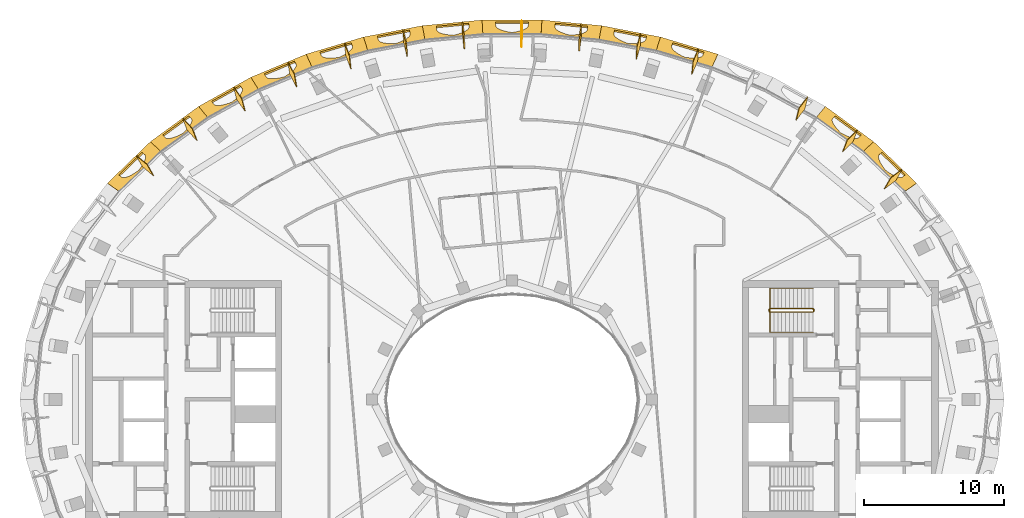
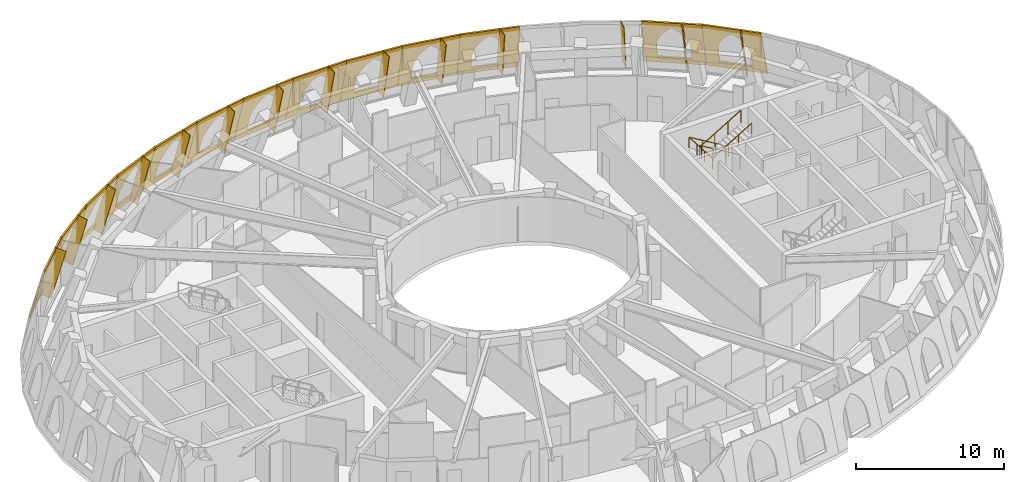
# One storey, part 13 of 14: 27 coverings, 2 railings.
"""IFC4 building model written with IfcOpenShell, lengths in metres."""

from ifc_helpers import new_model, si_unit, direction, frame, origin, origin_2d, place, context, subcontext, project, spatial, polyline, rectangle, outline, extrude, material, layer, layer_set, type_object, element, save


model = new_model("IFC4")

# Units and contexts
model_context = context("Model", 3, precision=1e-05, world=origin(), true_north=direction((0.0, 1.0)))
body_context = subcontext(model_context, "Body", "Model", "MODEL_VIEW")
ifc_project = project(units=[si_unit("LENGTHUNIT", "METRE"), si_unit("AREAUNIT", "SQUARE_METRE"), si_unit("VOLUMEUNIT", "CUBIC_METRE"), si_unit("PLANEANGLEUNIT", "RADIAN"), si_unit("MASSUNIT", "GRAM", prefix="KILO")], contexts=[model_context])

# Site, building, storey
site_placement = place(None, origin())
site = spatial("IfcSite", under=ifc_project, at=site_placement, CompositionType="ELEMENT")
building_placement = place(site_placement, origin())
building = spatial("IfcBuilding", under=site, at=building_placement, Name="Noorbagh Ring Tower", CompositionType="ELEMENT")
storey_placement = place(building_placement, frame((0.0, 0.0, 339.0)))
storey = spatial("IfcBuildingStorey", under=building, at=storey_placement, Name="L74", CompositionType="ELEMENT", Elevation=339.0)

# Railings
ifc_material_1 = material(Name="Stainless steel", Category="steel")
railing_type_1 = type_object("IfcRailingType", Name="CORE-STAIR-GUARD", PredefinedType="GUARDRAIL", material=ifc_material_1)
railing_1_placement = place(storey_placement, frame((21.580078125, 6.449951171875, 0.0)))
element("IfcRailing", 1, at=railing_1_placement, inside=storey, type_object=railing_type_1, Name="L74 ST3 stair guard", PredefinedType="GUARDRAIL", context=body_context, shape_type="SweptSolid", body=[
    extrude(rectangle(XDim=0.048095703125, YDim=0.048095703125, at=origin_2d()), frame((0.0, 0.0, 1.076171875), z_axis=(0.0, -1.0, 0.0), x_axis=(1.0, 0.0, 0.0)), (0.0, 0.0, 1.0), 0.14990234375),
    extrude(rectangle(XDim=0.048095703125, YDim=0.048095703125, at=origin_2d()), frame((0.0, -0.14990234375, 1.076171875), z_axis=(-0.188775798145, 0.754182335027, 0.628945707965), x_axis=(-0.970072785993, -0.242814311512, 0.0)), (0.0, 0.0, 1.0), 0.26513671875),
    extrude(rectangle(XDim=0.048095703125, YDim=0.048095703125, at=origin_2d()), frame((-0.050048828125, 0.050048828125, 1.24267578125), z_axis=(-0.859308565015, 0.0, 0.511457515432), x_axis=(0.0, -1.0, 0.0)), (0.0, 0.0, 1.0), 3.58447265625),
    extrude(rectangle(XDim=0.048095703125, YDim=0.048095703125, at=origin_2d()), frame((-3.130126953125, 0.050048828125, 3.076171875), z_axis=(-0.707106781187, -0.707106781187, 0.0), x_axis=(0.707106781187, -0.707106781187, 0.0)), (0.0, 0.0, 1.0), 0.07080078125),
    extrude(rectangle(XDim=0.048095703125, YDim=0.048095703125, at=origin_2d()), frame((-3.18017578125, 0.0, 3.076171875), z_axis=(0.0, -1.0, 0.0), x_axis=(1.0, 0.0, 0.0)), (0.0, 0.0, 1.0), 0.14990234375),
    extrude(rectangle(XDim=0.048095703125, YDim=0.048095703125, at=origin_2d()), frame((-3.18017578125, -0.14990234375, 3.076171875), z_axis=(0.27628659633, -0.27628659633, 0.920506074601), x_axis=(0.707106781187, 0.707106781187, 0.0)), (0.0, 0.0, 1.0), 0.18115234375),
    extrude(rectangle(XDim=0.048095703125, YDim=0.048095703125, at=origin_2d()), frame((-3.130126953125, -0.199951171875, 3.24267578125), z_axis=(0.859308565015, 0.0, 0.511457515432), x_axis=(0.0, 1.0, 0.0)), (0.0, 0.0, 1.0), 3.58447265625),
    extrude(rectangle(XDim=0.0419921875, YDim=0.0419921875, at=origin_2d()), origin(), (0.0, 0.0, 1.0), 1.052001953125),
    extrude(rectangle(XDim=0.0419921875, YDim=0.0419921875, at=origin_2d()), frame((-1.07666015625, 0.050048828125, 0.77783203125)), (0.0, 0.0, 1.0), 1.052001953125),
    extrude(rectangle(XDim=0.0419921875, YDim=0.0419921875, at=origin_2d()), frame((-2.103515625, 0.050048828125, 1.388916015625)), (0.0, 0.0, 1.0), 1.052001953125),
    extrude(rectangle(XDim=0.0419921875, YDim=0.0419921875, at=origin_2d()), frame((-3.130126953125, 0.050048828125, 2.0)), (0.0, 0.0, 1.0), 1.052001953125),
    extrude(rectangle(XDim=0.0419921875, YDim=0.0419921875, at=origin_2d()), frame((-3.130126953125, -0.199951171875, 2.166748046875)), (0.0, 0.0, 1.0), 1.052001953125),
    extrude(rectangle(XDim=0.0419921875, YDim=0.0419921875, at=origin_2d()), frame((-2.103515625, -0.199951171875, 2.77783203125)), (0.0, 0.0, 1.0), 1.052001953125),
    extrude(rectangle(XDim=0.0419921875, YDim=0.0419921875, at=origin_2d()), frame((-1.07666015625, -0.199951171875, 3.388916015625)), (0.0, 0.0, 1.0), 1.052001953125),
    extrude(rectangle(XDim=0.0419921875, YDim=0.0419921875, at=origin_2d()), frame((-0.050048828125, -0.199951171875, 4.0)), (0.0, 0.0, 1.0), 1.052001953125),
])
ifc_material_2 = material(Name="Stainless steel", Category="steel")
railing_type_2 = type_object("IfcRailingType", Name="CORE-STAIR-HANDRAIL", PredefinedType="HANDRAIL", material=ifc_material_2)
railing_2_placement = place(storey_placement, frame((21.530029296875, 7.949951171875, 0.166748046875)))
element("IfcRailing", 2, at=railing_2_placement, inside=storey, type_object=railing_type_2, Name="L74 ST3 stair handrail", PredefinedType="HANDRAIL", context=body_context, shape_type="SweptSolid", body=[
    extrude(rectangle(XDim=0.048095703125, YDim=0.048095703125, at=origin_2d()), frame((0.0, 0.0, 0.8759765625), z_axis=(-0.859308565015, 0.0, 0.511457515432), x_axis=(0.0, -1.0, 0.0)), (0.0, 0.0, 1.0), 3.58447265625),
    extrude(rectangle(XDim=0.048095703125, YDim=0.048095703125, at=origin_2d()), frame((-3.080078125, 0.0, 2.708984375), z_axis=(0.0, -0.998601747152, 0.052863509014), x_axis=(1.0, 0.0, 0.0)), (0.0, 0.0, 1.0), 3.154296875),
    extrude(rectangle(XDim=0.048095703125, YDim=0.048095703125, at=origin_2d()), frame((-3.080078125, -3.14990234375, 2.8759765625), z_axis=(0.859308565015, 0.0, 0.511457515432), x_axis=(0.0, 1.0, 0.0)), (0.0, 0.0, 1.0), 3.58447265625),
    extrude(rectangle(XDim=0.0419921875, YDim=0.0419921875, at=origin_2d()), origin(), (0.0, 0.0, 1.0), 0.851806640625),
    extrude(rectangle(XDim=0.0419921875, YDim=0.0419921875, at=origin_2d()), frame((-1.026611328125, 0.0, 0.611083984375)), (0.0, 0.0, 1.0), 0.851806640625),
    extrude(rectangle(XDim=0.0419921875, YDim=0.0419921875, at=origin_2d()), frame((-2.053466796875, 0.0, 1.22216796875)), (0.0, 0.0, 1.0), 0.851806640625),
    extrude(rectangle(XDim=0.0419921875, YDim=0.0419921875, at=origin_2d()), frame((-3.080078125, 0.0, 1.833251953125)), (0.0, 0.0, 1.0), 0.851806640625),
    extrude(rectangle(XDim=0.0419921875, YDim=0.0419921875, at=origin_2d()), frame((-3.080078125, -1.050048828125, 1.888916015625)), (0.0, 0.0, 1.0), 0.851806640625),
    extrude(rectangle(XDim=0.0419921875, YDim=0.0419921875, at=origin_2d()), frame((-3.080078125, -2.099853515625, 1.9443359375)), (0.0, 0.0, 1.0), 0.851806640625),
    extrude(rectangle(XDim=0.0419921875, YDim=0.0419921875, at=origin_2d()), frame((-3.080078125, -3.14990234375, 2.0)), (0.0, 0.0, 1.0), 0.851806640625),
    extrude(rectangle(XDim=0.0419921875, YDim=0.0419921875, at=origin_2d()), frame((-2.053466796875, -3.14990234375, 2.611083984375)), (0.0, 0.0, 1.0), 0.851806640625),
    extrude(rectangle(XDim=0.0419921875, YDim=0.0419921875, at=origin_2d()), frame((-1.026611328125, -3.14990234375, 3.22216796875)), (0.0, 0.0, 1.0), 0.851806640625),
    extrude(rectangle(XDim=0.0419921875, YDim=0.0419921875, at=origin_2d()), frame((0.0, -3.14990234375, 3.833251953125)), (0.0, 0.0, 1.0), 0.851806640625),
])

# Coverings
ifc_material_3 = material(Name="Aluminium 6063-T6 black anodised", Category="aluminium")
ifc_layer_1 = layer(ifc_material_3, 0.050048828125)
ifc_layer_set_1 = layer_set([ifc_layer_1], Name="Aluminium 6063-T6 black anodised")
covering_type_1 = type_object("IfcCoveringType", Name="STYLE-HEAD-FIN", PredefinedType="CLADDING", material=ifc_layer_set_1)
covering_1_placement = place(storey_placement, frame((27.918212890625, 16.45751953125, 0.0), z_axis=(0.863196479991, -0.495028875642, 0.099187948922), x_axis=(-0.197630671874, -0.150527907076, 0.968650332538)))
element("IfcCovering", 3, at=covering_1_placement, inside=storey, type_object=covering_type_1, Name="Fin rib F05 L74", ObjectType="FIN", PredefinedType="CLADDING", context=body_context, shape_type="SweptSolid", body=[
    extrude(outline(polyline([(0.0, 0.0), (4.1309693594645545, -2.220446049250313e-16), (4.33698569223919, 0.8761447897794508), (0.2060163327746354, 0.8761447897794511), (0.0, 0.0)])), origin(), (0.0, 0.0, -1.0), 0.050048828125),
])
covering_2_placement = place(storey_placement, frame((24.718505859375, 19.277099609375, 0.0), z_axis=(0.928327419469, -0.357298111447, 0.10269499413), x_axis=(-0.175050123032, -0.176409391374, 0.96862644041)))
element("IfcCovering", 4, at=covering_2_placement, inside=storey, type_object=covering_type_1, Name="Fin rib F06 L74", ObjectType="FIN", PredefinedType="CLADDING", context=body_context, shape_type="SweptSolid", body=[
    extrude(outline(polyline([(0.0, 0.0), (4.131071253904706, 0.0), (4.335811163382686, 0.8763016636186401), (0.20473990947797963, 0.8763016636186401), (0.0, 0.0)])), origin(), (0.0, 0.0, -1.0), 0.050048828125),
])
covering_3_placement = place(storey_placement, frame((21.171630859375, 21.65576171875, 0.0), z_axis=(0.964972352482, -0.242626246645, 0.099804125089), x_axis=(-0.150058448834, -0.198392505462, 0.968567434777)))
element("IfcCovering", 5, at=covering_3_placement, inside=storey, type_object=covering_type_1, Name="Fin rib F07 L74", ObjectType="FIN", PredefinedType="CLADDING", context=body_context, shape_type="SweptSolid", body=[
    extrude(outline(polyline([(0.0, 0.0), (4.131067805415497, 1.1102230246251565e-16), (4.337160518435369, 0.8760610363482143), (0.2061411486901515, 0.8762928764967179), (0.0, 0.0)])), origin(), (0.0, 0.0, -1.0), 0.050048828125),
])
covering_4_placement = place(storey_placement, frame((13.3583984375, 25.10546875, 0.0), z_axis=(0.993171727579, -0.088308978501, 0.076232826614), x_axis=(-0.094824495756, -0.230425751732, 0.968458717728)))
element("IfcCovering", 6, at=covering_4_placement, inside=storey, type_object=covering_type_1, Name="Fin rib F09 L74", ObjectType="FIN", PredefinedType="CLADDING", context=body_context, shape_type="SweptSolid", body=[
    extrude(outline(polyline([(0.0, 0.0), (4.131020875147568, 0.0), (4.345164178485972, 0.8741855241407781), (0.21412015282674524, 0.874168932931378), (0.0, 0.0)])), origin(), (0.0, 0.0, -1.0), 0.050048828125),
])
covering_5_placement = place(storey_placement, frame((9.218505859375, 26.194580078125, 0.0), z_axis=(0.997459477551, -0.04306749679, 0.056743117323), x_axis=(-0.06548068307, -0.240652140043, 0.968400138185)))
element("IfcCovering", 7, at=covering_5_placement, inside=storey, type_object=covering_type_1, Name="Fin rib F10 L74", ObjectType="FIN", PredefinedType="CLADDING", context=body_context, shape_type="SweptSolid", body=[
    extrude(outline(polyline([(0.0, 0.0), (4.131028509619592, 0.0), (4.349957528268341, 0.872973939012567), (0.2188702656848717, 0.8727372067191157), (0.0, 0.0)])), origin(), (0.0, 0.0, -1.0), 0.050048828125),
])
covering_6_placement = place(storey_placement, frame((4.989501953125, 26.87158203125, 0.0), z_axis=(0.999366686379, -0.011658374258, 0.033620060463), x_axis=(-0.035459076307, -0.247149761862, 0.968328275493)))
element("IfcCovering", 8, at=covering_6_placement, inside=storey, type_object=covering_type_1, Name="Fin rib F11 L74", ObjectType="FIN", PredefinedType="CLADDING", context=body_context, shape_type="SweptSolid", body=[
    extrude(outline(polyline([(0.0, 0.0), (4.131082652305149, 0.0), (4.3538655533073545, 0.8719531044132905), (0.2227829010022051, 0.8719531044132904), (0.0, 0.0)])), origin(), (0.0, 0.0, -1.0), 0.050048828125),
])
covering_7_placement = place(storey_placement, frame((0.714599609375, 27.141357421875, 0.0), z_axis=(0.999894074115, 0.011935794699, 0.008329307016), x_axis=(-0.005082379348, -0.249923049544, 0.96825236314)))
element("IfcCovering", 9, at=covering_7_placement, inside=storey, type_object=covering_type_1, Name="Fin rib F12 L74", ObjectType="FIN", PredefinedType="CLADDING", context=body_context, shape_type="SweptSolid", body=[
    extrude(outline(polyline([(0.0, 0.0), (4.131154389364332, -1.1102230246251565e-16), (4.356006131533789, 0.8714248773832362), (0.22485174216945664, 0.8714248773832364), (0.0, 0.0)])), origin(), (0.0, 0.0, -1.0), 0.050048828125),
])
covering_8_placement = place(storey_placement, frame((-3.56689453125, 27.00634765625, 0.0), z_axis=(-0.999247361779, -0.034718692266, 0.017300935954), x_axis=(0.025411841712, -0.248917854166, 0.968191169232)))
element("IfcCovering", 10, at=covering_8_placement, inside=storey, type_object=covering_type_1, Name="Fin rib F13 L74", ObjectType="FIN", PredefinedType="CLADDING", context=body_context, shape_type="SweptSolid", body=[
    extrude(outline(polyline([(0.0, 0.0), (4.131163334767062, 1.1102230246251565e-16), (4.355837673264905, -0.8714606473865072), (0.22467433849784285, -0.8714606473865074), (0.0, 0.0)])), origin(), (0.0, 0.0, -1.0), 0.050048828125),
])
covering_9_placement = place(storey_placement, frame((-7.8154296875, 26.4658203125, 0.0), z_axis=(-0.997136640044, -0.06327800121, 0.041405502579), x_axis=(0.055700045437, -0.244245654749, 0.968112372132)))
element("IfcCovering", 11, at=covering_9_placement, inside=storey, type_object=covering_type_1, Name="Fin rib F14 L74", ObjectType="FIN", PredefinedType="CLADDING", context=body_context, shape_type="SweptSolid", body=[
    extrude(outline(polyline([(0.0, 0.0), (4.131252273971412, -1.1102230246251565e-16), (4.353800583153344, -0.8720432469038677), (0.22262153811264102, -0.8722919758365031), (0.0, 0.0)])), origin(), (0.0, 0.0, -1.0), 0.050048828125),
])
covering_10_placement = place(storey_placement, frame((-11.989990234375, 25.5146484375, 0.0), z_axis=(-0.99255061569, -0.104778256484, 0.062167453394), x_axis=(0.085512819515, -0.235677349154, 0.968061849674)))
element("IfcCovering", 12, at=covering_10_placement, inside=storey, type_object=covering_type_1, Name="Fin rib F15 L74", ObjectType="FIN", PredefinedType="CLADDING", context=body_context, shape_type="SweptSolid", body=[
    extrude(outline(polyline([(0.0, 0.0), (4.131210810003646, 1.1102230246251565e-16), (4.350226098859287, -0.8729371069039367), (0.21901528885564106, -0.8729371069039369), (0.0, 0.0)])), origin(), (0.0, 0.0, -1.0), 0.050048828125),
])
covering_11_placement = place(storey_placement, frame((-16.04443359375, 24.14599609375, 0.0), z_axis=(-0.983267810638, -0.164418819821, 0.078427445787), x_axis=(0.114537644026, -0.223224293852, 0.968014484776)))
element("IfcCovering", 13, at=covering_11_placement, inside=storey, type_object=covering_type_1, Name="Fin rib F16 L74", ObjectType="FIN", PredefinedType="CLADDING", context=body_context, shape_type="SweptSolid", body=[
    extrude(outline(polyline([(0.0, 0.0), (4.1309085347021295, 0.0), (4.346065375525488, -0.87392459233485), (0.21515684082335937, -0.8739245923348502), (0.0, 0.0)])), origin(), (0.0, 0.0, -1.0), 0.050048828125),
])
covering_12_placement = place(storey_placement, frame((-19.92529296875, 22.3505859375, 0.0), z_axis=(-0.964800089493, -0.247481624748, 0.088958601189), x_axis=(0.142308408007, -0.20684361629, 0.96796902606)))
element("IfcCovering", 14, at=covering_12_placement, inside=storey, type_object=covering_type_1, Name="Fin rib F17 L74", ObjectType="FIN", PredefinedType="CLADDING", context=body_context, shape_type="SweptSolid", body=[
    extrude(outline(polyline([(0.0, 0.0), (4.131102534503053, 0.0), (4.343259042194718, -0.8746897307256748), (0.21215650769166475, -0.874689730725675), (0.0, 0.0)])), origin(), (0.0, 0.0, -1.0), 0.050048828125),
])
covering_13_placement = place(storey_placement, frame((-23.568115234375, 20.118896484375, 0.0), z_axis=(-0.92977668691, -0.356110548058, 0.09327695343), x_axis=(0.168452510307, -0.186279097236, 0.967948268093)))
element("IfcCovering", 15, at=covering_13_placement, inside=storey, type_object=covering_type_1, Name="Fin rib F18 L74", ObjectType="FIN", PredefinedType="CLADDING", context=body_context, shape_type="SweptSolid", body=[
    extrude(outline(polyline([(0.0, 0.0), (4.13093215422113, 0.0), (4.34175925209165, -0.8751103170587904), (0.21074049347414803, -0.8748068479395689), (0.0, 0.0)])), origin(), (0.0, 0.0, -1.0), 0.050048828125),
])
covering_14_placement = place(storey_placement, frame((-26.893798828125, 17.4462890625, 0.0), z_axis=(-0.867716131306, -0.488698157388, 0.090790012872), x_axis=(0.192309656175, -0.161637034308, 0.967931022998)))
element("IfcCovering", 16, at=covering_14_placement, inside=storey, type_object=covering_type_1, Name="Fin rib F19 L74", ObjectType="FIN", PredefinedType="CLADDING", context=body_context, shape_type="SweptSolid", body=[
    extrude(outline(polyline([(0.0, 0.0), (4.131012501144332, 0.0), (4.342698614967231, -0.8747467285113854), (0.21168611382289887, -0.8747467285113855), (0.0, 0.0)])), origin(), (0.0, 0.0, -1.0), 0.050048828125),
])
ifc_material_4 = material(Name="Red sandstone jali", Category="masonry")
ifc_layer_2 = layer(ifc_material_4, 0.1201171875)
ifc_layer_set_2 = layer_set([ifc_layer_2], Name="Red sandstone jali")
covering_type_2 = type_object("IfcCoveringType", Name="STYLE-HEAD-SKIN", PredefinedType="CLADDING", material=ifc_layer_set_2)
covering_15_placement = place(storey_placement, frame((28.94287109375, 15.468505859375, 0.0), z_axis=(0.673179525847, 0.697462103212, 0.245715161443), x_axis=(-0.71952222493, 0.694469414585, 6.23365e-06)))
element("IfcCovering", 17, at=covering_15_placement, inside=storey, type_object=covering_type_2, Name="Head skin panel", ObjectType="HEAD SKIN", PredefinedType="CLADDING", context=body_context, shape_type="SweptSolid", body=[
    extrude(outline(polyline([(0.0, 0.0), (4.272216796875, 0.0), (4.332275390625, 4.12646484375), (0.203369140625, 4.12646484375), (0.0, 0.0)]), holes=[polyline([(0.99755859375, 0.550048828125), (1.0302734375, 1.57421875), (1.059814453125, 1.8759765625), (1.128173828125, 2.172607421875), (1.234619140625, 2.458984375), (1.376953125, 2.730224609375), (1.552978515625, 2.981689453125), (1.759765625, 3.209228515625), (1.993408203125, 3.40869140625), (2.250244140625, 3.57666015625), (2.496337890625, 3.40869140625), (2.71728515625, 3.209228515625), (2.90966796875, 2.981689453125), (3.069580078125, 2.730224609375), (3.194580078125, 2.458984375), (3.28271484375, 2.172607421875), (3.332275390625, 1.8759765625), (3.34228515625, 1.57421875), (3.309814453125, 0.550048828125), (0.99755859375, 0.550048828125)])]), origin(), (0.0, 0.0, -1.0), 0.1201171875),
])
covering_16_placement = place(storey_placement, frame((25.868896484375, 18.435302734375, 0.0), z_axis=(0.57241572095, 0.782213366537, 0.245931884107), x_axis=(-0.80699793231, 0.590554262728, -4.614053e-06)))
element("IfcCovering", 18, at=covering_16_placement, inside=storey, type_object=covering_type_2, Name="Head skin panel", ObjectType="HEAD SKIN", PredefinedType="CLADDING", context=body_context, shape_type="SweptSolid", body=[
    extrude(outline(polyline([(0.0, 0.0), (4.276611328125, 0.0), (4.33740234375, 4.126708984375), (0.199462890625, 4.126708984375), (0.0, 0.0)]), holes=[polyline([(0.9970703125, 0.550048828125), (1.029296875, 1.56982421875), (1.05859375, 1.872314453125), (1.127197265625, 2.169677734375), (1.233642578125, 2.456787109375), (1.376220703125, 2.728515625), (1.552490234375, 2.980712890625), (1.759521484375, 3.20849609375), (1.993896484375, 3.408447265625), (2.251220703125, 3.576904296875), (2.497802734375, 3.408447265625), (2.719482421875, 3.20849609375), (2.912109375, 2.980712890625), (3.072509765625, 2.728515625), (3.197998046875, 2.456787109375), (3.28662109375, 2.169677734375), (3.336181640625, 1.872314453125), (3.346435546875, 1.56982421875), (3.314208984375, 0.550048828125), (0.9970703125, 0.550048828125)])]), origin(), (0.0, 0.0, -1.0), 0.1201171875),
])
covering_17_placement = place(storey_placement, frame((14.72705078125, 24.6962890625, 0.0), z_axis=(0.27748782861, 0.928172131078, 0.247985886823), x_axis=(-0.958099323782, 0.286436180931, -4.756416e-06)))
element("IfcCovering", 19, at=covering_17_placement, inside=storey, type_object=covering_type_2, Name="Head skin panel", ObjectType="HEAD SKIN", PredefinedType="CLADDING", context=body_context, shape_type="SweptSolid", body=[
    extrude(outline(polyline([(0.0, 0.0), (4.285400390625, 0.0), (4.302001953125, 4.12890625), (0.145751953125, 4.12890625), (0.0, 0.0)]), holes=[polyline([(0.98974609375, 0.550048828125), (1.009521484375, 1.563232421875), (1.035400390625, 1.8671875), (1.1005859375, 2.165771484375), (1.204345703125, 2.4541015625), (1.34423828125, 2.72705078125), (1.518310546875, 2.980224609375), (1.7236328125, 3.209228515625), (1.95654296875, 3.409912109375), (2.212890625, 3.5791015625), (2.462890625, 3.409912109375), (2.687744140625, 3.209228515625), (2.884033203125, 2.980224609375), (3.048095703125, 2.72705078125), (3.177490234375, 2.4541015625), (3.269775390625, 2.165771484375), (3.3232421875, 1.8671875), (3.337158203125, 1.563232421875), (3.317138671875, 0.550048828125), (0.98974609375, 0.550048828125)])]), origin(), (0.0, 0.0, -1.0), 0.1201171875),
])
covering_18_placement = place(storey_placement, frame((10.621337890625, 25.923828125, 0.0), z_axis=(0.18363615281, 0.950993932385, 0.248773599781), x_axis=(-0.981862061266, 0.189596657792, 4.03422e-07)))
element("IfcCovering", 20, at=covering_18_placement, inside=storey, type_object=covering_type_2, Name="Head skin panel", ObjectType="HEAD SKIN", PredefinedType="CLADDING", context=body_context, shape_type="SweptSolid", body=[
    extrude(outline(polyline([(0.0, 0.0), (4.28662109375, 0.0), (4.27880859375, 4.1298828125), (0.11962890625, 4.1298828125), (0.0, 0.0)]), holes=[polyline([(0.986083984375, 0.550048828125), (1.0, 1.562744140625), (1.02392578125, 1.86669921875), (1.08740234375, 2.16552734375), (1.189208984375, 2.4541015625), (1.32763671875, 2.727294921875), (1.50048828125, 2.980712890625), (1.704345703125, 3.209716796875), (1.936279296875, 3.41064453125), (2.19189453125, 3.579833984375), (2.44287109375, 3.41064453125), (2.669189453125, 3.209716796875), (2.866943359375, 2.980712890625), (3.03271484375, 2.727294921875), (3.163818359375, 2.4541015625), (3.2578125, 2.16552734375), (3.313232421875, 1.86669921875), (3.3291015625, 1.562744140625), (3.3154296875, 0.550048828125), (0.986083984375, 0.550048828125)])]), origin(), (0.0, 0.0, -1.0), 0.1201171875),
])
covering_19_placement = place(storey_placement, frame((6.412353515625, 26.736572265625, 0.0), z_axis=(0.091418656886, 0.96407927325, 0.249386816137), x_axis=(-0.99553419187, 0.094401656848, -1.130861e-06)))
element("IfcCovering", 21, at=covering_19_placement, inside=storey, type_object=covering_type_2, Name="Head skin panel", ObjectType="HEAD SKIN", PredefinedType="CLADDING", context=body_context, shape_type="SweptSolid", body=[
    extrude(outline(polyline([(0.0, 0.0), (4.28759765625, 0.0), (4.252685546875, 4.130615234375), (0.09130859375, 4.130615234375), (0.0, 0.0)]), holes=[polyline([(0.982421875, 0.550048828125), (0.989501953125, 1.5625), (1.011474609375, 1.86669921875), (1.072998046875, 2.16552734375), (1.1728515625, 2.454345703125), (1.3095703125, 2.7275390625), (1.480712890625, 2.981201171875), (1.683349609375, 3.210205078125), (1.913818359375, 3.4111328125), (2.16845703125, 3.58056640625), (2.4208984375, 3.4111328125), (2.6484375, 3.210205078125), (2.847900390625, 2.981201171875), (3.015380859375, 2.7275390625), (3.1484375, 2.454345703125), (3.244384765625, 2.16552734375), (3.302001953125, 1.86669921875), (3.319580078125, 1.5625), (3.312744140625, 0.550048828125), (0.982421875, 0.550048828125)])]), origin(), (0.0, 0.0, -1.0), 0.1201171875),
])
covering_20_placement = place(storey_placement, frame((2.143798828125, 27.141357421875, 0.0), z_axis=(0.0, 0.968264868643, 0.249926277435), x_axis=(-1.0, 0.0, 0.0)))
element("IfcCovering", 22, at=covering_20_placement, inside=storey, type_object=covering_type_2, Name="Head skin panel", ObjectType="HEAD SKIN", PredefinedType="CLADDING", context=body_context, shape_type="SweptSolid", body=[
    extrude(outline(polyline([(0.0, 0.0), (4.28759765625, 0.0), (4.224609375, 4.131103515625), (0.06298828125, 4.131103515625), (0.0, 0.0)]), holes=[polyline([(0.978515625, 0.550048828125), (0.978515625, 1.562744140625), (0.99853515625, 1.866943359375), (1.05810546875, 2.166015625), (1.156005859375, 2.45458984375), (1.291015625, 2.72802734375), (1.460205078125, 2.9814453125), (1.661376953125, 3.210693359375), (1.890380859375, 3.411865234375), (2.143798828125, 3.5810546875), (2.3974609375, 3.411865234375), (2.626708984375, 3.210693359375), (2.82763671875, 2.9814453125), (2.9970703125, 2.72802734375), (3.1318359375, 2.45458984375), (3.22998046875, 2.166015625), (3.289306640625, 1.866943359375), (3.309326171875, 1.562744140625), (3.309326171875, 0.550048828125), (0.978515625, 0.550048828125)])]), origin(), (0.0, 0.0, -1.0), 0.1201171875),
])
covering_21_placement = place(storey_placement, frame((-2.143798828125, 27.141357421875, 0.0), z_axis=(-0.091371199805, 0.963873835539, 0.25019698841), x_axis=(-0.995536736907, -0.094374813392, 8.102664e-06)))
element("IfcCovering", 23, at=covering_21_placement, inside=storey, type_object=covering_type_2, Name="Head skin panel", ObjectType="HEAD SKIN", PredefinedType="CLADDING", context=body_context, shape_type="SweptSolid", body=[
    extrude(outline(polyline([(0.0, 0.0), (4.28759765625, 0.0), (4.196044921875, 4.13134765625), (0.03466796875, 4.13134765625), (0.0, 0.0)]), holes=[polyline([(0.974853515625, 0.550048828125), (0.968017578125, 1.5634765625), (0.985595703125, 1.867431640625), (1.043212890625, 2.16650390625), (1.13916015625, 2.455078125), (1.272216796875, 2.728515625), (1.439697265625, 2.98193359375), (1.63916015625, 3.211181640625), (1.866943359375, 3.412109375), (2.119140625, 3.58154296875), (2.373779296875, 3.412109375), (2.604248046875, 3.211181640625), (2.806884765625, 2.98193359375), (2.97802734375, 2.728515625), (3.11474609375, 2.455078125), (3.214599609375, 2.16650390625), (3.276123046875, 1.867431640625), (3.298095703125, 1.5634765625), (3.30517578125, 0.550048828125), (0.974853515625, 0.550048828125)])]), origin(), (0.0, 0.0, -1.0), 0.1201171875),
])
covering_22_placement = place(storey_placement, frame((-6.412353515625, 26.736572265625, 0.0), z_axis=(-0.183587429931, 0.95059668178, 0.250322999662), x_axis=(-0.981857017215, -0.189622777356, -7.284213e-06)))
element("IfcCovering", 24, at=covering_22_placement, inside=storey, type_object=covering_type_2, Name="Head skin panel", ObjectType="HEAD SKIN", PredefinedType="CLADDING", context=body_context, shape_type="SweptSolid", body=[
    extrude(outline(polyline([(0.0, 0.0), (4.28662109375, 0.0), (4.167236328125, 4.131591796875), (0.008056640625, 4.131591796875), (0.0, 0.0)]), holes=[polyline([(0.97119140625, 0.550048828125), (0.95751953125, 1.564453125), (0.973388671875, 1.868408203125), (1.02880859375, 2.167236328125), (1.122802734375, 2.455810546875), (1.25390625, 2.72900390625), (1.419677734375, 2.982421875), (1.617431640625, 3.21142578125), (1.843994140625, 3.412353515625), (2.094970703125, 3.58154296875), (2.3505859375, 3.412353515625), (2.58251953125, 3.21142578125), (2.786376953125, 2.982421875), (2.958984375, 2.72900390625), (3.097412109375, 2.455810546875), (3.19921875, 2.167236328125), (3.2626953125, 1.868408203125), (3.286865234375, 1.564453125), (3.300537109375, 0.550048828125), (0.97119140625, 0.550048828125)])]), origin(), (0.0, 0.0, -1.0), 0.1201171875),
])
covering_23_placement = place(storey_placement, frame((-10.621337890625, 25.923828125, 0.0), z_axis=(-0.277310135783, 0.927605764172, 0.250293097923), x_axis=(-0.958101541355, -0.286428763232, 6.805109e-06)))
element("IfcCovering", 25, at=covering_23_placement, inside=storey, type_object=covering_type_2, Name="Head skin panel", ObjectType="HEAD SKIN", PredefinedType="CLADDING", context=body_context, shape_type="SweptSolid", body=[
    extrude(outline(polyline([(0.0, 0.0), (4.285400390625, 0.0), (4.139892578125, 4.131591796875), (-0.0166015625, 4.131591796875), (0.0, 0.0)]), holes=[polyline([(0.968017578125, 0.550048828125), (0.947998046875, 1.56591796875), (0.962158203125, 1.86962890625), (1.015625, 2.168212890625), (1.10791015625, 2.45654296875), (1.237060546875, 2.7294921875), (1.4013671875, 2.98291015625), (1.597412109375, 3.211669921875), (1.822509765625, 3.412353515625), (2.072265625, 3.58154296875), (2.328857421875, 3.412353515625), (2.5615234375, 3.211669921875), (2.766845703125, 2.98291015625), (2.94091796875, 2.7294921875), (3.0810546875, 2.45654296875), (3.1845703125, 2.168212890625), (3.249755859375, 1.86962890625), (3.275634765625, 1.56591796875), (3.295654296875, 0.550048828125), (0.968017578125, 0.550048828125)])]), origin(), (0.0, 0.0, -1.0), 0.1201171875),
])
covering_24_placement = place(storey_placement, frame((-14.72705078125, 24.6962890625, 0.0), z_axis=(-0.373211299284, 0.893375598527, 0.250186662399), x_axis=(-0.922721064085, -0.38546833571, -7.682566e-06)))
element("IfcCovering", 26, at=covering_24_placement, inside=storey, type_object=covering_type_2, Name="Head skin panel", ObjectType="HEAD SKIN", PredefinedType="CLADDING", context=body_context, shape_type="SweptSolid", body=[
    extrude(outline(polyline([(0.0, 0.0), (4.283203125, 0.0), (4.114501953125, 4.13134765625), (-0.037353515625, 4.13134765625), (0.0, 0.0)]), holes=[polyline([(0.96533203125, 0.550048828125), (0.93994140625, 1.56787109375), (0.952392578125, 1.871337890625), (1.004150390625, 2.169677734375), (1.0947265625, 2.457763671875), (1.222412109375, 2.73046875), (1.38525390625, 2.9833984375), (1.580078125, 3.2119140625), (1.8037109375, 3.41259765625), (2.05224609375, 3.581298828125), (2.309326171875, 3.41259765625), (2.543212890625, 3.2119140625), (2.749267578125, 2.9833984375), (2.924560546875, 2.73046875), (3.06591796875, 2.457763671875), (3.1708984375, 2.169677734375), (3.237548828125, 1.871337890625), (3.264892578125, 1.56787109375), (3.290283203125, 0.550048828125), (0.96533203125, 0.550048828125)])]), origin(), (0.0, 0.0, -1.0), 0.1201171875),
])
covering_25_placement = place(storey_placement, frame((-18.67919921875, 23.04541015625, 0.0), z_axis=(-0.47150964803, 0.845670662832, 0.250039560549), x_axis=(-0.873413924505, -0.48697855854, 1.552784e-06)))
element("IfcCovering", 27, at=covering_25_placement, inside=storey, type_object=covering_type_2, Name="Head skin panel", ObjectType="HEAD SKIN", PredefinedType="CLADDING", context=body_context, shape_type="SweptSolid", body=[
    extrude(outline(polyline([(0.0, 0.0), (4.2802734375, 0.0), (4.09326171875, 4.131103515625), (-0.052490234375, 4.13134765625), (0.0, 0.0)]), holes=[polyline([(0.96337890625, 0.550048828125), (0.933837890625, 1.57080078125), (0.94482421875, 1.873779296875), (0.995361328125, 2.171630859375), (1.084716796875, 2.458984375), (1.211181640625, 2.7314453125), (1.37255859375, 2.98388671875), (1.566162109375, 3.21240234375), (1.78857421875, 3.41259765625), (2.0361328125, 3.581298828125), (2.293701171875, 3.41259765625), (2.527587890625, 3.21240234375), (2.734619140625, 2.98388671875), (2.91064453125, 2.7314453125), (3.052978515625, 2.458984375), (3.15869140625, 2.171630859375), (3.226806640625, 1.873779296875), (3.25537109375, 1.57080078125), (3.284912109375, 0.550048828125), (0.96337890625, 0.550048828125)])]), origin(), (0.0, 0.0, -1.0), 0.1201171875),
])
covering_26_placement = place(storey_placement, frame((-22.417724609375, 20.9609375, 0.0), z_axis=(-0.571799339726, 0.781399166477, 0.249921703174), x_axis=(-0.807007396102, -0.590541330102, 8.830233e-06)))
element("IfcCovering", 28, at=covering_26_placement, inside=storey, type_object=covering_type_2, Name="Head skin panel", ObjectType="HEAD SKIN", PredefinedType="CLADDING", context=body_context, shape_type="SweptSolid", body=[
    extrude(outline(polyline([(0.0, 0.0), (4.276611328125, 0.0), (4.077392578125, 4.131103515625), (-0.060791015625, 4.131103515625), (0.0, 0.0)]), holes=[polyline([(0.96240234375, 0.550048828125), (0.93017578125, 1.57421875), (0.940185546875, 1.876708984375), (0.989990234375, 2.174072265625), (1.07861328125, 2.461181640625), (1.2041015625, 2.73291015625), (1.364501953125, 2.985107421875), (1.55712890625, 3.212890625), (1.77880859375, 3.412841796875), (2.025390625, 3.581298828125), (2.28271484375, 3.412841796875), (2.51708984375, 3.212890625), (2.72412109375, 2.985107421875), (2.900390625, 2.73291015625), (3.04296875, 2.461181640625), (3.1494140625, 2.174072265625), (3.218017578125, 1.876708984375), (3.247314453125, 1.57421875), (3.27978515625, 0.550048828125), (0.96240234375, 0.550048828125)])]), origin(), (0.0, 0.0, -1.0), 0.1201171875),
])
covering_27_placement = place(storey_placement, frame((-25.868896484375, 18.435302734375, 0.0), z_axis=(-0.672415928624, 0.696699100001, 0.249934357363), x_axis=(-0.719535402806, -0.694455761087, -1.449643e-06)))
element("IfcCovering", 29, at=covering_27_placement, inside=storey, type_object=covering_type_2, Name="Head skin panel", ObjectType="HEAD SKIN", PredefinedType="CLADDING", context=body_context, shape_type="SweptSolid", body=[
    extrude(outline(polyline([(0.0, 0.0), (4.272216796875, 0.0), (4.06884765625, 4.131103515625), (-0.06005859375, 4.131103515625), (0.0, 0.0)]), holes=[polyline([(0.96240234375, 0.550048828125), (0.9296875, 1.578857421875), (0.939697265625, 1.880615234375), (0.989501953125, 2.17724609375), (1.077392578125, 2.463623046875), (1.20263671875, 2.73486328125), (1.362548828125, 2.986328125), (1.5546875, 3.213623046875), (1.77587890625, 3.4130859375), (2.02197265625, 3.581298828125), (2.27880859375, 3.4130859375), (2.512451171875, 3.213623046875), (2.71923828125, 2.986328125), (2.895263671875, 2.73486328125), (3.03759765625, 2.463623046875), (3.14404296875, 2.17724609375), (3.21240234375, 1.880615234375), (3.24169921875, 1.578857421875), (3.274658203125, 0.550048828125), (0.96240234375, 0.550048828125)])]), origin(), (0.0, 0.0, -1.0), 0.1201171875),
])

save(model, "model.ifc")
